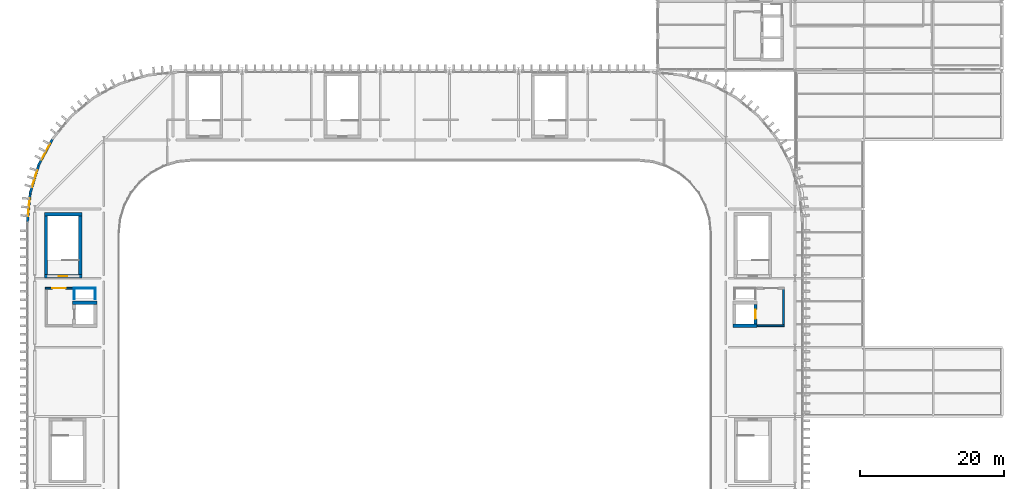
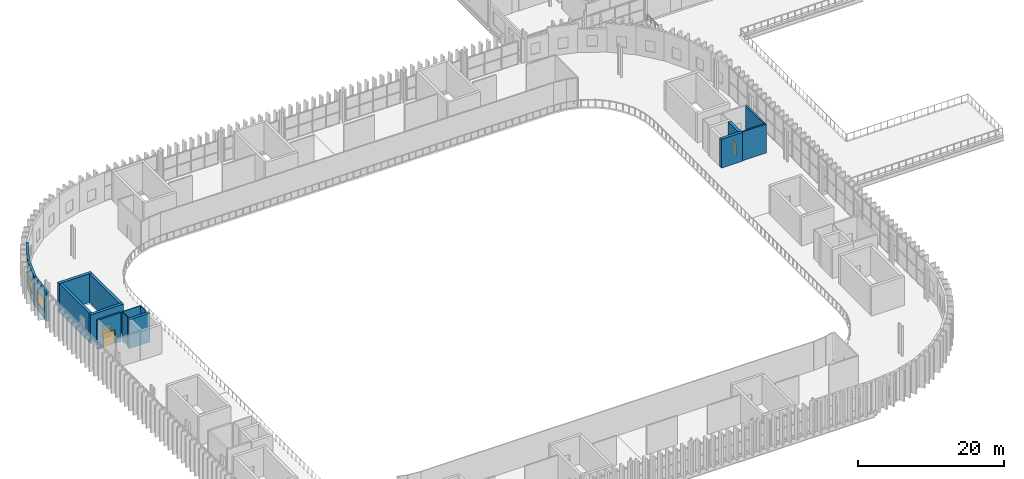
# One storey, part 33 of 45: 16 walls, 3 doors, 3 windows, 6 openings.
"""IFC4 building model written with IfcOpenShell, lengths in metres."""

from ifc_helpers import new_model, si_unit, direction, frame, frame_2d, origin, place, context, subcontext, project, spatial, rectangle, extrude, material, layer, layer_set, type_object, element, fill, save


model = new_model("IFC4")

# Units and contexts
model_context = context("Model", 3, precision=1e-05, world=origin(), true_north=direction((0.0, 1.0)))
body_context = subcontext(model_context, "Body", "Model", "MODEL_VIEW")
ifc_project = project(units=[si_unit("LENGTHUNIT", "METRE"), si_unit("AREAUNIT", "SQUARE_METRE"), si_unit("VOLUMEUNIT", "CUBIC_METRE"), si_unit("PLANEANGLEUNIT", "RADIAN"), si_unit("MASSUNIT", "GRAM", prefix="KILO")], contexts=[model_context])

# Site, building, storey
site_placement = place(None, origin())
site = spatial("IfcSite", under=ifc_project, at=site_placement, CompositionType="ELEMENT")
building_placement = place(site_placement, origin())
building = spatial("IfcBuilding", under=site, at=building_placement, Name="Caelomonte Colonnade Arena", CompositionType="ELEMENT")
storey_placement = place(building_placement, frame((0.0, 0.0, 23.10009765625)))
storey = spatial("IfcBuildingStorey", under=building, at=storey_placement, Name="L05", CompositionType="ELEMENT", Elevation=23.10009765625)

# Wall, opening, window
ifc_material_1 = material(Name="Precast concrete C40/50", Category="concrete")
ifc_layer_1 = layer(ifc_material_1, 0.330078125)
ifc_layer_set_1 = layer_set([ifc_layer_1], Name="Precast concrete C40/50")
wall_type_1 = type_object("IfcWallType", Name="ENV-WL-EXT33", PredefinedType="SOLIDWALL", material=ifc_layer_set_1)
wall_1_placement = place(storey_placement, frame((60.154296875, 105.887939453125, 0.0), z_axis=(0.0, 0.0, 1.0), x_axis=(-0.471390797968, -0.881924438709, 0.0)))
wall_1 = element("IfcWall", 1, at=wall_1_placement, inside=storey, type_object=wall_type_1, Name="L05 exterior wall EW-L05-0370", PredefinedType="SOLIDWALL", context=body_context, shape_type="SweptSolid", body=[
    extrude(rectangle(XDim=4.356689453125, YDim=0.330078125, at=frame_2d((2.17822265625, 0.0))), origin(), (0.0, 0.0, 1.0), 4.81982421875),
])
opening_1_placement = place(wall_1_placement, frame((3.428466796875, 0.0, 1.10009765625), z_axis=(0.0, 0.0, 1.0), x_axis=(-1.0, 0.0, 0.0)))
opening_1 = element("IfcOpeningElement", 2, at=opening_1_placement, cuts=wall_1, Name="Opening WN-13", PredefinedType="OPENING", context=body_context, shape_type="SweptSolid", body=[
    extrude(rectangle(XDim=2.5, YDim=2.0, at=frame_2d((1.25, 1.0))), frame((0.0, 0.175048828125, 0.0), z_axis=(0.0, -1.0, 0.0), x_axis=(1.0, 0.0, 0.0)), (0.0, 0.0, 1.0), 0.35009765625),
])
ifc_material_2 = material(Name="Solar-control bronze low-E double glazing", Category="glass")
window_type = type_object("IfcWindowType", Name="ENV-WN-V5B", PartitioningType="DOUBLE_PANEL_VERTICAL", PredefinedType="WINDOW", material=ifc_material_2)
window_1_placement = place(opening_1_placement, origin())
window_1 = element("IfcWindow", 3, at=window_1_placement, inside=storey, type_object=window_type, Name="L05 facade window 331", OverallHeight=2.0, OverallWidth=2.5, PartitioningType="SINGLE_PANEL", PredefinedType="WINDOW", context=body_context, shape_type="SweptSolid", body=[
    extrude(rectangle(XDim=2.5, YDim=2.0, at=frame_2d((1.25, 1.0))), frame((0.0, 0.030029296875, 0.0), z_axis=(0.0, -1.0, 0.0), x_axis=(1.0, 0.0, 0.0)), (0.0, 0.0, 1.0), 0.06005859375),
])
fill(opening_1, window_1)

wall_2_placement = place(storey_placement, frame((58.20556640625, 102.299072265625, 0.0), z_axis=(0.0, 0.0, 1.0), x_axis=(-0.290271780936, -0.956944247693, 0.0)))
wall_2 = element("IfcWall", 4, at=wall_2_placement, inside=storey, type_object=wall_type_1, Name="L05 exterior wall EW-L05-0371", PredefinedType="SOLIDWALL", context=body_context, shape_type="SweptSolid", body=[
    extrude(rectangle(XDim=4.356689453125, YDim=0.330078125, at=frame_2d((2.17822265625, 0.0))), origin(), (0.0, 0.0, 1.0), 4.81982421875),
])
opening_2_placement = place(wall_2_placement, frame((3.428466796875, 0.0, 1.10009765625), z_axis=(0.0, 0.0, 1.0), x_axis=(-1.0, 0.0, 0.0)))
opening_2 = element("IfcOpeningElement", 5, at=opening_2_placement, cuts=wall_2, Name="Opening WN-13", PredefinedType="OPENING", context=body_context, shape_type="SweptSolid", body=[
    extrude(rectangle(XDim=2.5, YDim=2.0, at=frame_2d((1.25, 1.0))), frame((0.0, 0.175048828125, 0.0), z_axis=(0.0, -1.0, 0.0), x_axis=(1.0, 0.0, 0.0)), (0.0, 0.0, 1.0), 0.35009765625),
])
window_2_placement = place(opening_2_placement, origin())
window_2 = element("IfcWindow", 6, at=window_2_placement, inside=storey, type_object=window_type, Name="L05 facade window 332", OverallHeight=2.0, OverallWidth=2.5, PartitioningType="SINGLE_PANEL", PredefinedType="WINDOW", context=body_context, shape_type="SweptSolid", body=[
    extrude(rectangle(XDim=2.5, YDim=2.0, at=frame_2d((1.25, 1.0))), frame((0.0, 0.030029296875, 0.0), z_axis=(0.0, -1.0, 0.0), x_axis=(1.0, 0.0, 0.0)), (0.0, 0.0, 1.0), 0.06005859375),
])
fill(opening_2, window_2)

wall_3_placement = place(storey_placement, frame((56.994384765625, 98.398681640625, 0.0), z_axis=(0.0, 0.0, 1.0), x_axis=(-0.098011100141, -0.99518532156, 0.0)))
wall_3 = element("IfcWall", 7, at=wall_3_placement, inside=storey, type_object=wall_type_1, Name="L05 exterior wall EW-L05-0372", PredefinedType="SOLIDWALL", context=body_context, shape_type="SweptSolid", body=[
    extrude(rectangle(XDim=4.356689453125, YDim=0.330078125, at=frame_2d((2.17822265625, 0.0))), origin(), (0.0, 0.0, 1.0), 4.81982421875),
])
opening_3_placement = place(wall_3_placement, frame((3.428466796875, 0.0, 1.10009765625), z_axis=(0.0, 0.0, 1.0), x_axis=(-1.0, 0.0, 0.0)))
opening_3 = element("IfcOpeningElement", 8, at=opening_3_placement, cuts=wall_3, Name="Opening WN-13", PredefinedType="OPENING", context=body_context, shape_type="SweptSolid", body=[
    extrude(rectangle(XDim=2.5, YDim=2.0, at=frame_2d((1.25, 1.0))), frame((0.0, 0.175048828125, 0.0), z_axis=(0.0, -1.0, 0.0), x_axis=(1.0, 0.0, 0.0)), (0.0, 0.0, 1.0), 0.35009765625),
])
window_3_placement = place(opening_3_placement, origin())
window_3 = element("IfcWindow", 9, at=window_3_placement, inside=storey, type_object=window_type, Name="L05 facade window 333", OverallHeight=2.0, OverallWidth=2.5, PartitioningType="SINGLE_PANEL", PredefinedType="WINDOW", context=body_context, shape_type="SweptSolid", body=[
    extrude(rectangle(XDim=2.5, YDim=2.0, at=frame_2d((1.25, 1.0))), frame((0.0, 0.030029296875, 0.0), z_axis=(0.0, -1.0, 0.0), x_axis=(1.0, 0.0, 0.0)), (0.0, 0.0, 1.0), 0.06005859375),
])
fill(opening_3, window_3)

# Wall, opening, door
ifc_material_3 = material(Name="Concrete C40/50", Category="concrete")
ifc_layer_2 = layer(ifc_material_3, 0.260009765625)
ifc_layer_set_2 = layer_set([ifc_layer_2], Name="Concrete C40/50")
wall_type_2 = type_object("IfcWallType", Name="INT-WL-FW26", PredefinedType="SOLIDWALL", material=ifc_layer_set_2)
wall_4_placement = place(storey_placement, frame((62.830078125, 85.0, 0.0), z_axis=(0.0, 0.0, 1.0), x_axis=(-1.0, 0.0, 0.0)))
wall_4 = element("IfcWall", 10, at=wall_4_placement, inside=storey, type_object=wall_type_2, Name="FW-C4-LB L05 north enclosure wall", PredefinedType="SOLIDWALL", context=body_context, shape_type="SweptSolid", body=[
    extrude(rectangle(XDim=3.760009765625, YDim=0.260009765625, at=frame_2d((1.8798828125, 0.0))), origin(), (0.0, 0.0, 1.0), 4.81982421875),
])
opening_4_placement = place(wall_4_placement, frame((2.80517578125, 0.0, 0.0), z_axis=(0.0, 0.0, 1.0), x_axis=(-1.0, 0.0, 0.0)))
opening_4 = element("IfcOpeningElement", 11, at=opening_4_placement, cuts=wall_4, Name="Opening FD-2", PredefinedType="OPENING", context=body_context, shape_type="SweptSolid", body=[
    extrude(rectangle(XDim=1.85009765625, YDim=2.25, at=frame_2d((0.925048828125, 1.125))), frame((0.0, 0.139892578125, 0.0), z_axis=(0.0, -1.0, 0.0), x_axis=(1.0, 0.0, 0.0)), (0.0, 0.0, 1.0), 0.280029296875),
])
ifc_material_4 = material(Name="Fire-rated double steel door", Category="steel")
door_type_1 = type_object("IfcDoorType", Name="INT-DR-FD90B", OperationType="DOUBLE_DOOR_SINGLE_SWING", PredefinedType="DOOR", material=ifc_material_4)
door_1_placement = place(opening_4_placement, origin())
door_1 = element("IfcDoor", 12, at=door_1_placement, inside=storey, type_object=door_type_1, Name="Core C4 L05 lobby fire door", OperationType="DOUBLE_DOOR_SINGLE_SWING", OverallHeight=2.25, OverallWidth=1.85009765625, PredefinedType="DOOR", context=body_context, shape_type="SweptSolid", body=[
    extrude(rectangle(XDim=1.85009765625, YDim=2.25, at=frame_2d((0.925048828125, 1.125))), frame((0.0, 0.02490234375, 0.0), z_axis=(0.0, -1.0, 0.0), x_axis=(1.0, 0.0, 0.0)), (0.0, 0.0, 1.0), 0.050048828125),
])
fill(opening_4, door_1)

# Walls
wall_5_placement = place(storey_placement, frame((157.969970703125, 79.800048828125, 0.0), z_axis=(0.0, 0.0, 1.0), x_axis=(1.0, 0.0, 0.0)))
element("IfcWall", 13, at=wall_5_placement, inside=storey, type_object=wall_type_2, Name="FW-C3-LB L05 south enclosure wall", PredefinedType="SOLIDWALL", context=body_context, shape_type="SweptSolid", body=[
    extrude(rectangle(XDim=3.760009765625, YDim=0.260009765625, at=frame_2d((1.8798828125, 0.0))), origin(), (0.0, 0.0, 1.0), 4.81982421875),
])
wall_6_placement = place(storey_placement, frame((161.60009765625, 79.929931640625, 0.0), z_axis=(0.0, 0.0, 1.0), x_axis=(0.0, 1.0, 0.0)))
element("IfcWall", 14, at=wall_6_placement, inside=storey, type_object=wall_type_2, Name="FW-C3-LB L05 east enclosure wall", PredefinedType="SOLIDWALL", context=body_context, shape_type="SweptSolid", body=[
    extrude(rectangle(XDim=4.940185546875, YDim=0.260009765625, at=frame_2d((2.47021484375, 0.0))), origin(), (0.0, 0.0, 1.0), 4.81982421875),
])
ifc_material_5 = material(Name="Service shaft lining partition")
ifc_layer_3 = layer(ifc_material_5, 0.10009765625)
ifc_layer_set_3 = layer_set([ifc_layer_3], Name="Service shaft lining partition")
wall_type_3 = type_object("IfcWallType", Name="INT-WL-PT10", PredefinedType="PARTITIONING", material=ifc_layer_set_3)
wall_7_placement = place(storey_placement, frame((66.050048828125, 85.0, 0.0), z_axis=(0.0, 0.0, 1.0), x_axis=(-1.0, 0.0, 0.0)))
element("IfcWall", 15, at=wall_7_placement, inside=storey, type_object=wall_type_3, Name="FW-C4-RS L05 north enclosure wall", PredefinedType="PARTITIONING", context=body_context, shape_type="SweptSolid", body=[
    extrude(rectangle(XDim=3.0, YDim=0.10009765625, at=frame_2d((1.5, 0.0))), origin(), (0.0, 0.0, 1.0), 4.81982421875),
])
for number, where, z_axis, x_axis, name in (
    (16, (63.10009765625, 84.949951171875, 0.0), (0.0, 0.0, 1.0), (0.0, -1.0, 0.0), "FW-C4-RS L05 west enclosure wall"),
    (17, (66.0, 83.449951171875, 0.0), (0.0, 0.0, 1.0), (0.0, 1.0, 0.0), "FW-C4-RS L05 east enclosure wall"),
):
    element("IfcWall", number, at=place(storey_placement, frame(where, z_axis=z_axis, x_axis=x_axis)), inside=storey, type_object=wall_type_3, Name=name, PredefinedType="PARTITIONING", context=body_context, shape_type="SweptSolid", body=[
        extrude(rectangle(XDim=1.5, YDim=0.10009765625, at=frame_2d((0.75, 0.0))), origin(), (0.0, 0.0, 1.0), 4.81982421875),
    ])

# Wall, opening, door
ifc_material_6 = material(Name="Concrete C50/60", Category="concrete")
ifc_layer_4 = layer(ifc_material_6, 0.449951171875)
ifc_layer_set_4 = layer_set([ifc_layer_4], Name="Concrete C50/60")
wall_type_4 = type_object("IfcWallType", Name="INT-WL-SH45", PredefinedType="SHEAR", material=ifc_layer_set_4)
wall_8_placement = place(storey_placement, frame((58.949951171875, 86.675048828125, 0.0), z_axis=(0.0, 0.0, 1.0), x_axis=(1.0, 0.0, 0.0)))
wall_8 = element("IfcWall", 18, at=wall_8_placement, inside=storey, type_object=wall_type_4, Name="CW-C4-ST L05 south enclosure wall", PredefinedType="SHEAR", context=body_context, shape_type="SweptSolid", body=[
    extrude(rectangle(XDim=5.199951171875, YDim=0.449951171875, at=frame_2d((2.60009765625, 0.0))), origin(), (0.0, 0.0, 1.0), 4.81982421875),
])
opening_5_placement = place(wall_8_placement, frame((3.199951171875, 0.0, 0.0), z_axis=(0.0, 0.0, 1.0), x_axis=(-1.0, 0.0, 0.0)))
opening_5 = element("IfcOpeningElement", 19, at=opening_5_placement, cuts=wall_8, Name="Opening FD-1", PredefinedType="OPENING", context=body_context, shape_type="SweptSolid", body=[
    extrude(rectangle(XDim=1.199951171875, YDim=2.199951171875, at=frame_2d((0.60009765625, 1.10009765625))), frame((0.0, 0.23486328125, 0.0), z_axis=(0.0, -1.0, 0.0), x_axis=(1.0, 0.0, 0.0)), (0.0, 0.0, 1.0), 0.469970703125),
])
ifc_material_7 = material(Name="Fire-rated steel door", Category="steel")
door_type_2 = type_object("IfcDoorType", Name="INT-DR-FD90A", OperationType="NOTDEFINED", PredefinedType="DOOR", material=ifc_material_7)
door_2_placement = place(opening_5_placement, origin())
door_2 = element("IfcDoor", 20, at=door_2_placement, inside=storey, type_object=door_type_2, Name="Core C4 L05 exit stair fire door", OperationType="SINGLE_SWING_LEFT", OverallHeight=2.199951171875, OverallWidth=1.199951171875, PredefinedType="DOOR", context=body_context, shape_type="SweptSolid", body=[
    extrude(rectangle(XDim=1.199951171875, YDim=2.199951171875, at=frame_2d((0.60009765625, 1.10009765625))), frame((0.0, 0.02490234375, 0.0), z_axis=(0.0, -1.0, 0.0), x_axis=(1.0, 0.0, 0.0)), (0.0, 0.0, 1.0), 0.050048828125),
])
fill(opening_5, door_2)

# Walls
wall_9_placement = place(storey_placement, frame((64.14990234375, 95.27490234375, 0.0), z_axis=(0.0, 0.0, 1.0), x_axis=(-1.0, 0.0, 0.0)))
element("IfcWall", 21, at=wall_9_placement, inside=storey, type_object=wall_type_4, Name="CW-C4-ST L05 north enclosure wall", PredefinedType="SHEAR", context=body_context, shape_type="SweptSolid", body=[
    extrude(rectangle(XDim=5.199951171875, YDim=0.449951171875, at=frame_2d((2.60009765625, 0.0))), origin(), (0.0, 0.0, 1.0), 4.81982421875),
])
for number, where, z_axis, x_axis, name in (
    (22, (59.175048828125, 95.050048828125, 0.0), (0.0, 0.0, 1.0), (0.0, -1.0, 0.0), "CW-C4-ST L05 west enclosure wall"),
    (23, (63.925048828125, 86.89990234375, 0.0), (0.0, 0.0, 1.0), (0.0, 1.0, 0.0), "CW-C4-ST L05 east enclosure wall"),
):
    element("IfcWall", number, at=place(storey_placement, frame(where, z_axis=z_axis, x_axis=x_axis)), inside=storey, type_object=wall_type_4, Name=name, PredefinedType="SHEAR", context=body_context, shape_type="SweptSolid", body=[
        extrude(rectangle(XDim=8.150146484375, YDim=0.449951171875, at=frame_2d((4.0751953125, 0.0))), origin(), (0.0, 0.0, 1.0), 4.81982421875),
    ])
for number, where, z_axis, x_axis, name in (
    (24, (66.22509765625, 83.0, 0.0), (0.0, 0.0, 1.0), (-1.0, 0.0, 0.0), "CW-C4-LF L05 north enclosure wall"),
    (25, (154.574951171875, 79.800048828125, 0.0), (0.0, 0.0, 1.0), (1.0, 0.0, 0.0), "CW-C3-LF L05 south enclosure wall"),
):
    element("IfcWall", number, at=place(storey_placement, frame(where, z_axis=z_axis, x_axis=x_axis)), inside=storey, type_object=wall_type_4, Name=name, PredefinedType="SHEAR", context=body_context, shape_type="SweptSolid", body=[
        extrude(rectangle(XDim=3.35009765625, YDim=0.449951171875, at=frame_2d((1.675048828125, 0.0))), origin(), (0.0, 0.0, 1.0), 4.81982421875),
    ])

# Wall, opening, door
wall_10_placement = place(storey_placement, frame((157.699951171875, 80.02490234375, 0.0), z_axis=(0.0, 0.0, 1.0), x_axis=(0.0, 1.0, 0.0)))
wall_10 = element("IfcWall", 26, at=wall_10_placement, inside=storey, type_object=wall_type_4, Name="CW-C3-LF L05 east enclosure wall", PredefinedType="SHEAR", context=body_context, shape_type="SweptSolid", body=[
    extrude(rectangle(XDim=2.75, YDim=0.449951171875, at=frame_2d((1.375, 0.0))), origin(), (0.0, 0.0, 1.0), 4.81982421875),
])
opening_6_placement = place(wall_10_placement, frame((0.72509765625, 0.0, 0.0), z_axis=(0.0, 0.0, 1.0), x_axis=(1.0, 0.0, 0.0)))
opening_6 = element("IfcOpeningElement", 27, at=opening_6_placement, cuts=wall_10, Name="Opening LD-FL-03-L05", PredefinedType="OPENING", context=body_context, shape_type="SweptSolid", body=[
    extrude(rectangle(XDim=1.300048828125, YDim=2.25, at=frame_2d((0.64990234375, 1.125))), frame((0.0, 0.23486328125, 0.0), z_axis=(0.0, -1.0, 0.0), x_axis=(1.0, 0.0, 0.0)), (0.0, 0.0, 1.0), 0.469970703125),
])
ifc_material_8 = material(Name="Firefighting lift landing door")
door_type_3 = type_object("IfcDoorType", Name="INT-DR-LD2", OperationType="SLIDING_TO_RIGHT", PredefinedType="DOOR", material=ifc_material_8)
door_3_placement = place(opening_6_placement, origin())
door_3 = element("IfcDoor", 28, at=door_3_placement, inside=storey, type_object=door_type_3, Name="Lift FL-03 L05 sliding landing door", OperationType="SLIDING_TO_RIGHT", OverallHeight=2.25, OverallWidth=1.300048828125, PredefinedType="DOOR", context=body_context, shape_type="SweptSolid", body=[
    extrude(rectangle(XDim=1.300048828125, YDim=2.25, at=frame_2d((0.64990234375, 1.125))), frame((0.0, 0.02490234375, 0.0), z_axis=(0.0, -1.0, 0.0), x_axis=(1.0, 0.0, 0.0)), (0.0, 0.0, 1.0), 0.050048828125),
])
fill(opening_6, door_3)

save(model, "model.ifc")
